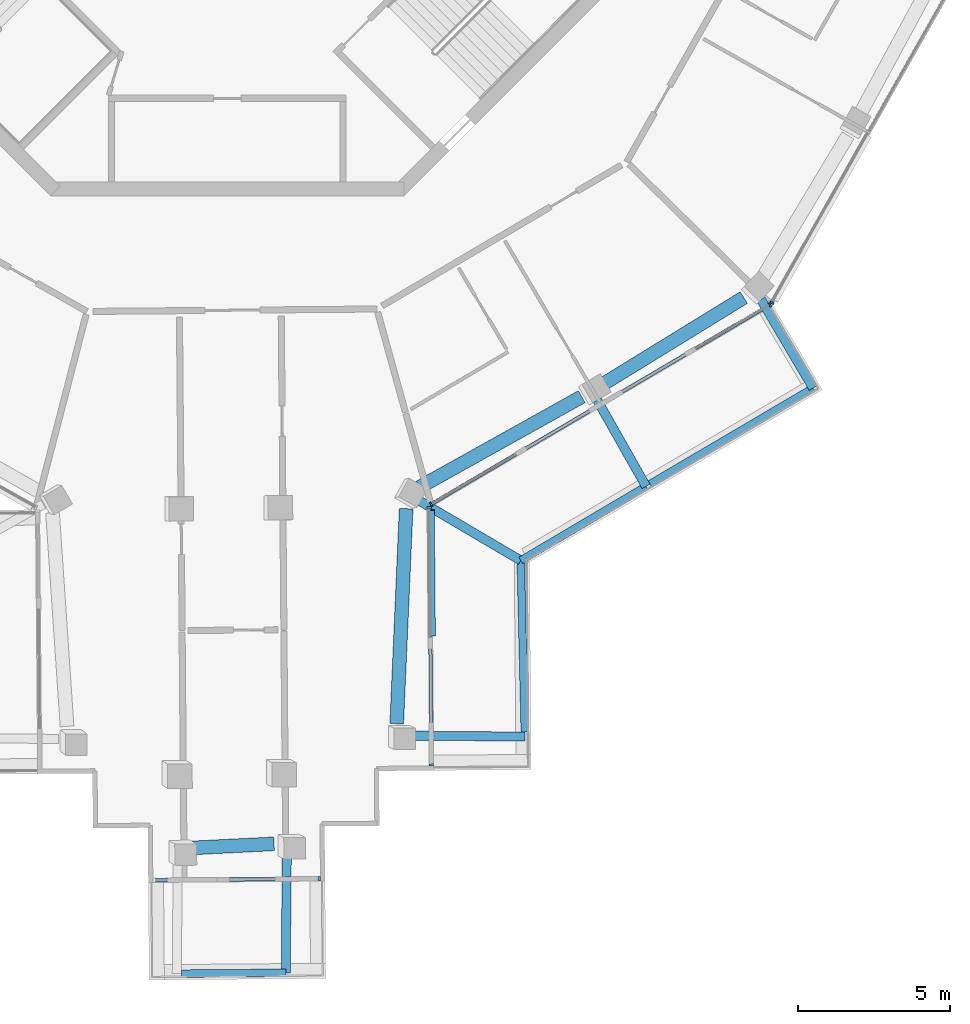
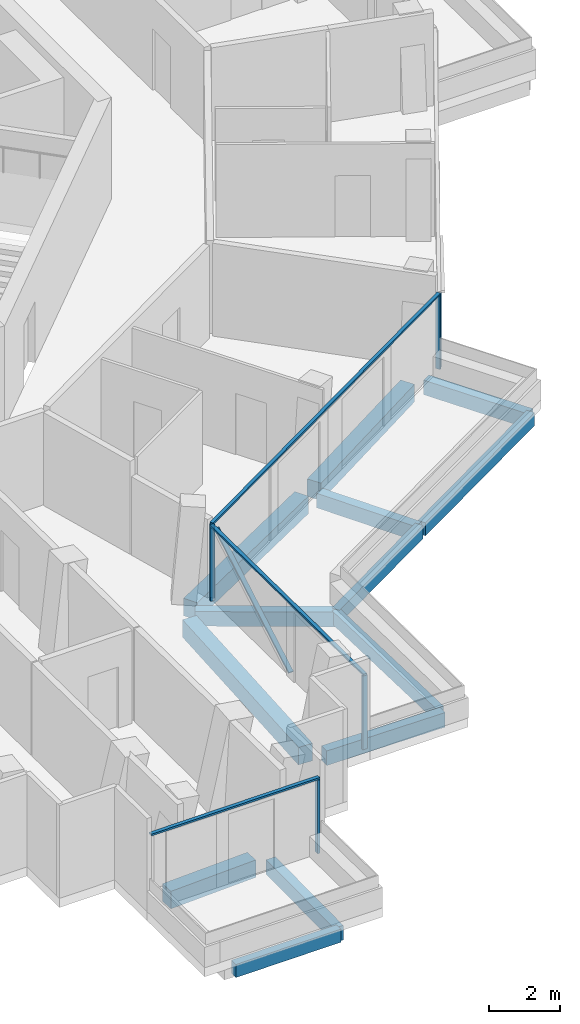
# One storey, part 4 of 26: 13 beams, 10 members, 4 elements without a shape of their own.
"""IFC4 building model written with IfcOpenShell, lengths in metres."""

from ifc_helpers import new_model, si_unit, direction, frame, origin, origin_2d, place, context, subcontext, project, spatial, rectangle, extrude, material, layer, layer_set, material_profile, profile_set, type_object, element, aggregate, save


model = new_model("IFC4")

# Units and contexts
model_context = context("Model", 3, precision=1e-05, world=origin(), true_north=direction((0.0, 1.0)))
body_context = subcontext(model_context, "Body", "Model", "MODEL_VIEW")
ifc_project = project(units=[si_unit("LENGTHUNIT", "METRE"), si_unit("AREAUNIT", "SQUARE_METRE"), si_unit("VOLUMEUNIT", "CUBIC_METRE"), si_unit("PLANEANGLEUNIT", "RADIAN"), si_unit("MASSUNIT", "GRAM", prefix="KILO")], contexts=[model_context])

# Site, building, storey
site_placement = place(None, origin())
site = spatial("IfcSite", under=ifc_project, at=site_placement, CompositionType="ELEMENT")
building_placement = place(site_placement, origin())
building = spatial("IfcBuilding", under=site, at=building_placement, Name="Verdalira Terraces Hotel", CompositionType="ELEMENT")
storey_placement = place(building_placement, frame((0.0, 0.0, 281.0)))
storey = spatial("IfcBuildingStorey", under=building, at=storey_placement, Name="L69", CompositionType="ELEMENT", Elevation=281.0)

# Beams
ifc_material_1 = material(Name="Concrete C40", Category="concrete")
ifc_material_profile_1 = material_profile(ifc_material_1, rectangle(XDim=0.300049, YDim=0.5, at=origin_2d()), Name="RC 300X500")
ifc_profile_set_1 = profile_set([ifc_material_profile_1], Name="Concrete C40")
beam_type_1 = type_object("IfcBeamType", Name="Balcony cantilever beam RC 300X500 C40", PredefinedType="BEAM", material=ifc_profile_set_1)
beam_1_placement = place(storey_placement, frame((1.950684, -35.632324, -0.560059), z_axis=(-0.008323586, -0.999965358, 0.0), x_axis=(0.999965358, -0.008323586, 0.0)))
element("IfcBeam", 1, at=beam_1_placement, inside=storey, type_object=beam_type_1, Name="Balcony cantilever beam R19-2", PredefinedType="BEAM", context=body_context, shape_type="SweptSolid", body=[
    extrude(rectangle(XDim=0.300049, YDim=0.5, at=origin_2d()), origin(), (0.0, 0.0, 1.0), 3.871826),
])
beam_2_placement = place(storey_placement, frame((5.939209, -31.720215, -0.560059), z_axis=(0.999965084, -0.008356432, 0.0), x_axis=(0.008356432, 0.999965084, 0.0)))
element("IfcBeam", 2, at=beam_2_placement, inside=storey, type_object=beam_type_1, Name="Balcony cantilever beam R24-1", PredefinedType="BEAM", context=body_context, shape_type="SweptSolid", body=[
    extrude(rectangle(XDim=0.300049, YDim=0.5, at=origin_2d()), origin(), (0.0, 0.0, 1.0), 3.827393),
])
beam_3_placement = place(storey_placement, frame((6.225586, -23.968018, -0.560059), z_axis=(0.861808672, -0.507233489, 0.0), x_axis=(0.507233489, 0.861808672, 0.0)))
element("IfcBeam", 3, at=beam_3_placement, inside=storey, type_object=beam_type_1, Name="Balcony cantilever beam R24-2", PredefinedType="BEAM", context=body_context, shape_type="SweptSolid", body=[
    extrude(rectangle(XDim=0.300049, YDim=0.5, at=origin_2d()), origin(), (0.0, 0.0, 1.0), 3.950195),
])
beam_4_placement = place(storey_placement, frame((12.142334, -20.710938, -0.560059), z_axis=(0.492730211, -0.87018213, 0.0), x_axis=(0.87018213, 0.492730211, 0.0)))
element("IfcBeam", 4, at=beam_4_placement, inside=storey, type_object=beam_type_1, Name="Balcony cantilever beam R24-3", PredefinedType="BEAM", context=body_context, shape_type="SweptSolid", body=[
    extrude(rectangle(XDim=0.300049, YDim=0.5, at=origin_2d()), origin(), (0.0, 0.0, 1.0), 3.250977),
])
beam_5_placement = place(storey_placement, frame((17.517578, -17.408203, -0.560059), z_axis=(0.50727652, -0.861783344, 0.0), x_axis=(0.861783344, 0.50727652, 0.0)))
element("IfcBeam", 5, at=beam_5_placement, inside=storey, type_object=beam_type_1, Name="Balcony cantilever beam R24-4", PredefinedType="BEAM", context=body_context, shape_type="SweptSolid", body=[
    extrude(rectangle(XDim=0.300049, YDim=0.5, at=origin_2d()), origin(), (0.0, 0.0, 1.0), 3.370361),
])
ifc_material_2 = material(Name="Concrete C40", Category="concrete")
ifc_material_profile_2 = material_profile(ifc_material_2, rectangle(XDim=0.25, YDim=0.449951, at=origin_2d()), Name="RC 250X450")
ifc_profile_set_2 = profile_set([ifc_material_profile_2], Name="Concrete C40")
beam_type_2 = type_object("IfcBeamType", Name="Balcony edge beam RC 250X450 C40", PredefinedType="BEAM", material=ifc_profile_set_2)
beam_6_placement = place(storey_placement, frame((-1.509033, -39.532471, -0.534912), z_axis=(0.999965275, 0.008333638, 0.0), x_axis=(-0.008333638, 0.999965275, 0.0)))
element("IfcBeam", 6, at=beam_6_placement, inside=storey, type_object=beam_type_2, Name="Balcony edge beam R19-1", PredefinedType="BEAM", context=body_context, shape_type="SweptSolid", body=[
    extrude(rectangle(XDim=0.25, YDim=0.449951, at=origin_2d()), origin(), (0.0, 0.0, 1.0), 3.42749),
])
beam_7_placement = place(storey_placement, frame((9.762695, -31.602295, -0.534912), z_axis=(-0.023581005, 0.999721929, 0.0), x_axis=(-0.999721929, -0.023581005, 0.0)))
element("IfcBeam", 7, at=beam_7_placement, inside=storey, type_object=beam_type_2, Name="Balcony edge beam R24-1", PredefinedType="BEAM", context=body_context, shape_type="SweptSolid", body=[
    extrude(rectangle(XDim=0.25, YDim=0.449951, at=origin_2d()), origin(), (0.0, 0.0, 1.0), 5.63208),
])
beam_8_placement = place(storey_placement, frame((9.629883, -25.97168, -0.534912), z_axis=(0.8608594, 0.508842896, 0.0), x_axis=(-0.508842896, 0.8608594, 0.0)))
element("IfcBeam", 8, at=beam_8_placement, inside=storey, type_object=beam_type_2, Name="Balcony edge beam R24-2", PredefinedType="BEAM", context=body_context, shape_type="SweptSolid", body=[
    extrude(rectangle(XDim=0.25, YDim=0.449951, at=origin_2d()), origin(), (0.0, 0.0, 1.0), 4.779297),
])
beam_9_placement = place(storey_placement, frame((13.873535, -23.463623, -0.534912), z_axis=(0.861821041, 0.507212474, 0.0), x_axis=(-0.507212474, 0.861821041, 0.0)))
element("IfcBeam", 9, at=beam_9_placement, inside=storey, type_object=beam_type_2, Name="Balcony edge beam R24-3", PredefinedType="BEAM", context=body_context, shape_type="SweptSolid", body=[
    extrude(rectangle(XDim=0.25, YDim=0.449951, at=origin_2d()), origin(), (0.0, 0.0, 1.0), 6.212158),
])

# Curtain wall, members
ifc_material_3 = material(Name="Clear glass", Category="glass")
ifc_layer_1 = layer(ifc_material_3, 0.14990234375)
ifc_layer_set_1 = layer_set([ifc_layer_1], Name="CW1 curtain wall")
curtain_wall_type_1 = type_object("IfcCurtainWallType", Name="CW1 curtain wall", PredefinedType="NOTDEFINED", material=ifc_layer_set_1)
curtain_wall_1_placement = place(storey_placement, origin())
curtain_wall_1 = element("IfcCurtainWall", 10, at=curtain_wall_1_placement, inside=storey, type_object=curtain_wall_type_1, Name="CW1 curtain wall L69 edge 25", PredefinedType="NOTDEFINED")
ifc_material_4 = material(Name="Terracotta frame", Category="masonry")
ifc_material_profile_3 = material_profile(ifc_material_4, rectangle(XDim=0.060059, YDim=0.149902, at=origin_2d()), Name="MU 60x150")
ifc_profile_set_3 = profile_set([ifc_material_profile_3], Name="Terracotta frame")
member_type_1 = type_object("IfcMemberType", Name="CW1 mullion 60x150", PredefinedType="MULLION", material=ifc_profile_set_3)
member_1_placement = place(storey_placement, frame((6.690918, -24.123291, 0.0), z_axis=(0.0, 0.0, 1.0), x_axis=(0.861806272, 0.507237567, 0.0)))
member_1 = element("IfcMember", 11, at=member_1_placement, type_object=member_type_1, Name="CW1 mullion", PredefinedType="MULLION", context=body_context, shape_type="SweptSolid", body=[
    extrude(rectangle(XDim=0.060059, YDim=0.149902, at=origin_2d()), origin(), (0.0, 0.0, 1.0), 2.524902),
])
member_2_placement = place(storey_placement, frame((17.807861, -17.579834, 0.0), z_axis=(0.0, 0.0, 1.0), x_axis=(0.861806272, 0.507237567, 0.0)))
member_2 = element("IfcMember", 12, at=member_2_placement, type_object=member_type_1, Name="CW1 mullion", PredefinedType="MULLION", context=body_context, shape_type="SweptSolid", body=[
    extrude(rectangle(XDim=0.060059, YDim=0.149902, at=origin_2d()), origin(), (0.0, 0.0, 1.0), 2.524902),
])

# Curtain wall, member
curtain_wall_2_placement = place(storey_placement, origin())
curtain_wall_2 = element("IfcCurtainWall", 13, at=curtain_wall_2_placement, inside=storey, type_object=curtain_wall_type_1, Name="CW1 curtain wall L69 edge 26", PredefinedType="NOTDEFINED")
member_3_placement = place(storey_placement, frame((17.875732, -17.510986, 0.0), z_axis=(0.0, 0.0, 1.0), x_axis=(0.492727342, 0.870183755, 0.0)))
member_3 = element("IfcMember", 14, at=member_3_placement, type_object=member_type_1, Name="CW1 mullion", PredefinedType="MULLION", context=body_context, shape_type="SweptSolid", body=[
    extrude(rectangle(XDim=0.060059, YDim=0.149902, at=origin_2d()), origin(), (0.0, 0.0, 1.0), 2.524902),
])
aggregate(curtain_wall_2, [member_3])

# Member
ifc_material_5 = material(Name="Terracotta frame", Category="masonry")
ifc_material_profile_4 = material_profile(ifc_material_5, rectangle(XDim=0.110107, YDim=0.064941, at=origin_2d()), Name="TR 65x110")
ifc_profile_set_4 = profile_set([ifc_material_profile_4], Name="Terracotta frame")
member_type_2 = type_object("IfcMemberType", Name="CW1 transom 65x110", PredefinedType="USERDEFINED", material=ifc_profile_set_4)
member_4_placement = place(storey_placement, frame((6.665039, -24.138428, 2.557617), z_axis=(0.861802462, 0.50724404, 0.0), x_axis=(-0.50724404, 0.861802462, 0.0)))
member_4 = element("IfcMember", 15, at=member_4_placement, type_object=member_type_2, Name="CW1 transom", ObjectType="TRANSOM", PredefinedType="USERDEFINED", context=body_context, shape_type="SweptSolid", body=[
    extrude(rectangle(XDim=0.110107, YDim=0.064941, at=origin_2d()), origin(), (0.0, 0.0, 1.0), 12.959717),
])

aggregate(curtain_wall_1, [member_1, member_2, member_4])

# Curtain wall, members
ifc_material_6 = material(Name="Clear glass", Category="glass")
ifc_layer_2 = layer(ifc_material_6, 0.14990234375)
ifc_layer_set_2 = layer_set([ifc_layer_2], Name="CW2 curtain wall")
curtain_wall_type_2 = type_object("IfcCurtainWallType", Name="CW2 curtain wall", PredefinedType="NOTDEFINED", material=ifc_layer_set_2)
curtain_wall_3_placement = place(storey_placement, origin())
curtain_wall_3 = element("IfcCurtainWall", 16, at=curtain_wall_3_placement, inside=storey, type_object=curtain_wall_type_2, Name="CW2 curtain wall L69 edge 24", PredefinedType="NOTDEFINED")
ifc_material_7 = material(Name="Terracotta frame", Category="masonry")
ifc_material_profile_5 = material_profile(ifc_material_7, rectangle(XDim=0.070068, YDim=0.149902, at=origin_2d()), Name="MU 70x150")
ifc_profile_set_5 = profile_set([ifc_material_profile_5], Name="Terracotta frame")
member_type_3 = type_object("IfcMemberType", Name="CW2 mullion 70x150", PredefinedType="MULLION", material=ifc_profile_set_5)
member_5_placement = place(storey_placement, frame((6.698975, -32.678467, 0.0), z_axis=(0.0, 0.0, 1.0), x_axis=(-0.008377482, 0.999964908, 0.0)))
member_5 = element("IfcMember", 17, at=member_5_placement, type_object=member_type_3, Name="CW2 mullion", PredefinedType="MULLION", context=body_context, shape_type="SweptSolid", body=[
    extrude(rectangle(XDim=0.070068, YDim=0.149902, at=origin_2d()), origin(), (0.0, 0.0, 1.0), 2.524902),
])
member_6_placement = place(storey_placement, frame((6.628174, -24.23877, 0.0), z_axis=(0.0, 0.0, 1.0), x_axis=(-0.008377482, 0.999964908, 0.0)))
member_6 = element("IfcMember", 18, at=member_6_placement, type_object=member_type_3, Name="CW2 mullion", PredefinedType="MULLION", context=body_context, shape_type="SweptSolid", body=[
    extrude(rectangle(XDim=0.070068, YDim=0.149902, at=origin_2d()), origin(), (0.0, 0.0, 1.0), 2.524902),
])
ifc_material_8 = material(Name="Terracotta frame", Category="masonry")
ifc_material_profile_6 = material_profile(ifc_material_8, rectangle(XDim=0.11499, YDim=0.064941, at=origin_2d()), Name="TR 65x115")
ifc_profile_set_6 = profile_set([ifc_material_profile_6], Name="Terracotta frame")
member_type_4 = type_object("IfcMemberType", Name="CW2 transom 65x115", PredefinedType="USERDEFINED", material=ifc_profile_set_6)
member_7_placement = place(storey_placement, frame((6.699219, -32.713379, 2.557617), z_axis=(-0.00837703, 0.999964912, 0.0), x_axis=(-0.999964912, -0.00837703, 0.0)))
member_7 = element("IfcMember", 19, at=member_7_placement, type_object=member_type_4, Name="CW2 transom", ObjectType="TRANSOM", PredefinedType="USERDEFINED", context=body_context, shape_type="SweptSolid", body=[
    extrude(rectangle(XDim=0.11499, YDim=0.064941, at=origin_2d()), origin(), (0.0, 0.0, 1.0), 8.51001),
])

ifc_material_9 = material(Name="Clear glass", Category="glass")
ifc_layer_3 = layer(ifc_material_9, 0.14990234375)
ifc_layer_set_3 = layer_set([ifc_layer_3], Name="CW3 curtain wall")
curtain_wall_type_3 = type_object("IfcCurtainWallType", Name="CW3 curtain wall", PredefinedType="NOTDEFINED", material=ifc_layer_set_3)
curtain_wall_4_placement = place(storey_placement, origin())
curtain_wall_4 = element("IfcCurtainWall", 20, at=curtain_wall_4_placement, inside=storey, type_object=curtain_wall_type_3, Name="CW3 curtain wall L69 edge 19", PredefinedType="NOTDEFINED")
ifc_material_10 = material(Name="Terracotta frame", Category="masonry")
ifc_material_profile_7 = material_profile(ifc_material_10, rectangle(XDim=0.080078, YDim=0.149902, at=origin_2d()), Name="MU 80x150")
ifc_profile_set_7 = profile_set([ifc_material_profile_7], Name="Terracotta frame")
member_type_5 = type_object("IfcMemberType", Name="CW3 mullion 80x150", PredefinedType="MULLION", material=ifc_profile_set_7)
member_8_placement = place(storey_placement, frame((3.015137, -36.419434, 0.0), z_axis=(0.0, 0.0, 1.0), x_axis=(0.999964908, 0.008377482, 0.0)))
member_8 = element("IfcMember", 21, at=member_8_placement, type_object=member_type_5, Name="CW3 mullion", PredefinedType="MULLION", context=body_context, shape_type="SweptSolid", body=[
    extrude(rectangle(XDim=0.080078, YDim=0.149902, at=origin_2d()), origin(), (0.0, 0.0, 1.0), 2.524902),
])
ifc_material_11 = material(Name="Terracotta frame", Category="masonry")
ifc_material_profile_8 = material_profile(ifc_material_11, rectangle(XDim=0.120117, YDim=0.064941, at=origin_2d()), Name="TR 65x120")
ifc_profile_set_8 = profile_set([ifc_material_profile_8], Name="Terracotta frame")
member_type_6 = type_object("IfcMemberType", Name="CW3 transom 65x120", PredefinedType="USERDEFINED", material=ifc_profile_set_8)
member_9_placement = place(storey_placement, frame((-2.44458, -36.465088, 2.557617), z_axis=(0.999965178, 0.00834525, 0.0), x_axis=(-0.00834525, 0.999965178, 0.0)))
member_9 = element("IfcMember", 22, at=member_9_placement, type_object=member_type_6, Name="CW3 transom", ObjectType="TRANSOM", PredefinedType="USERDEFINED", context=body_context, shape_type="SweptSolid", body=[
    extrude(rectangle(XDim=0.120117, YDim=0.064941, at=origin_2d()), origin(), (0.0, 0.0, 1.0), 5.5),
])
aggregate(curtain_wall_4, [member_8, member_9])

# Member
ifc_material_12 = material(Name="Terracotta frame", Category="masonry")
ifc_material_profile_9 = material_profile(ifc_material_12, rectangle(XDim=0.149902, YDim=0.060059, at=origin_2d()), Name="GB 60x150")
ifc_profile_set_9 = profile_set([ifc_material_profile_9], Name="Terracotta frame")
member_type_7 = type_object("IfcMemberType", Name="Diagonal glazing bar 60x150", PredefinedType="USERDEFINED", material=ifc_profile_set_9)
member_10_placement = place(storey_placement, frame((6.754395, -28.438232, 0.026855), z_axis=(-0.007163772, 0.857569532, 0.514318169), x_axis=(-0.999965111, -0.008353284, 0.0)))
member_10 = element("IfcMember", 23, at=member_10_placement, type_object=member_type_7, Name="Diagonal glazing bar", ObjectType="GLAZING BAR", PredefinedType="USERDEFINED", context=body_context, shape_type="SweptSolid", body=[
    extrude(rectangle(XDim=0.149902, YDim=0.060059, at=origin_2d()), origin(), (0.0, 0.0, 1.0), 4.805176),
])

aggregate(curtain_wall_3, [member_5, member_6, member_7, member_10])

# Beams
ifc_material_13 = material(Name="Concrete C40", Category="concrete")
ifc_material_profile_10 = material_profile(ifc_material_13, rectangle(XDim=0.449951, YDim=0.600098, at=origin_2d()), Name="RC 450X600")
ifc_profile_set_10 = profile_set([ifc_material_profile_10], Name="Concrete C40")
beam_type_3 = type_object("IfcBeamType", Name="Spandrel beam RC 450X600 C40", PredefinedType="SPANDREL", material=ifc_profile_set_10)
beam_10_placement = place(storey_placement, frame((-1.306396, -35.414062, -0.610107), z_axis=(0.998742472, 0.050134571, 0.0), x_axis=(-0.050134571, 0.998742472, 0.0)))
element("IfcBeam", 24, at=beam_10_placement, inside=storey, type_object=beam_type_3, Name="Spandrel beam B11", PredefinedType="SPANDREL", context=body_context, shape_type="SweptSolid", body=[
    extrude(rectangle(XDim=0.449951, YDim=0.600098, at=origin_2d()), origin(), (0.0, 0.0, 1.0), 2.843994),
])
beam_11_placement = place(storey_placement, frame((5.559814, -31.331299, -0.610107), z_axis=(0.04377306, 0.9990415, 0.0), x_axis=(-0.9990415, 0.04377306, 0.0)))
element("IfcBeam", 25, at=beam_11_placement, inside=storey, type_object=beam_type_3, Name="Spandrel beam B12", PredefinedType="SPANDREL", context=body_context, shape_type="SweptSolid", body=[
    extrude(rectangle(XDim=0.449951, YDim=0.600098, at=origin_2d()), origin(), (0.0, 0.0, 1.0), 7.06665),
])
beam_12_placement = place(storey_placement, frame((6.308105, -23.56543, -0.610107), z_axis=(0.873309824, 0.48716522, 0.0), x_axis=(-0.48716522, 0.873309824, 0.0)))
element("IfcBeam", 26, at=beam_12_placement, inside=storey, type_object=beam_type_3, Name="Spandrel beam B13", PredefinedType="SPANDREL", context=body_context, shape_type="SweptSolid", body=[
    extrude(rectangle(XDim=0.449951, YDim=0.600098, at=origin_2d()), origin(), (0.0, 0.0, 1.0), 6.097412),
])
beam_13_placement = place(storey_placement, frame((12.249268, -20.233643, -0.610107), z_axis=(0.851863211, 0.523764326, 0.0), x_axis=(-0.523764326, 0.851863211, 0.0)))
element("IfcBeam", 27, at=beam_13_placement, inside=storey, type_object=beam_type_3, Name="Spandrel beam B14", PredefinedType="SPANDREL", context=body_context, shape_type="SweptSolid", body=[
    extrude(rectangle(XDim=0.449951, YDim=0.600098, at=origin_2d()), origin(), (0.0, 0.0, 1.0), 5.52124),
])

save(model, "model.ifc")
